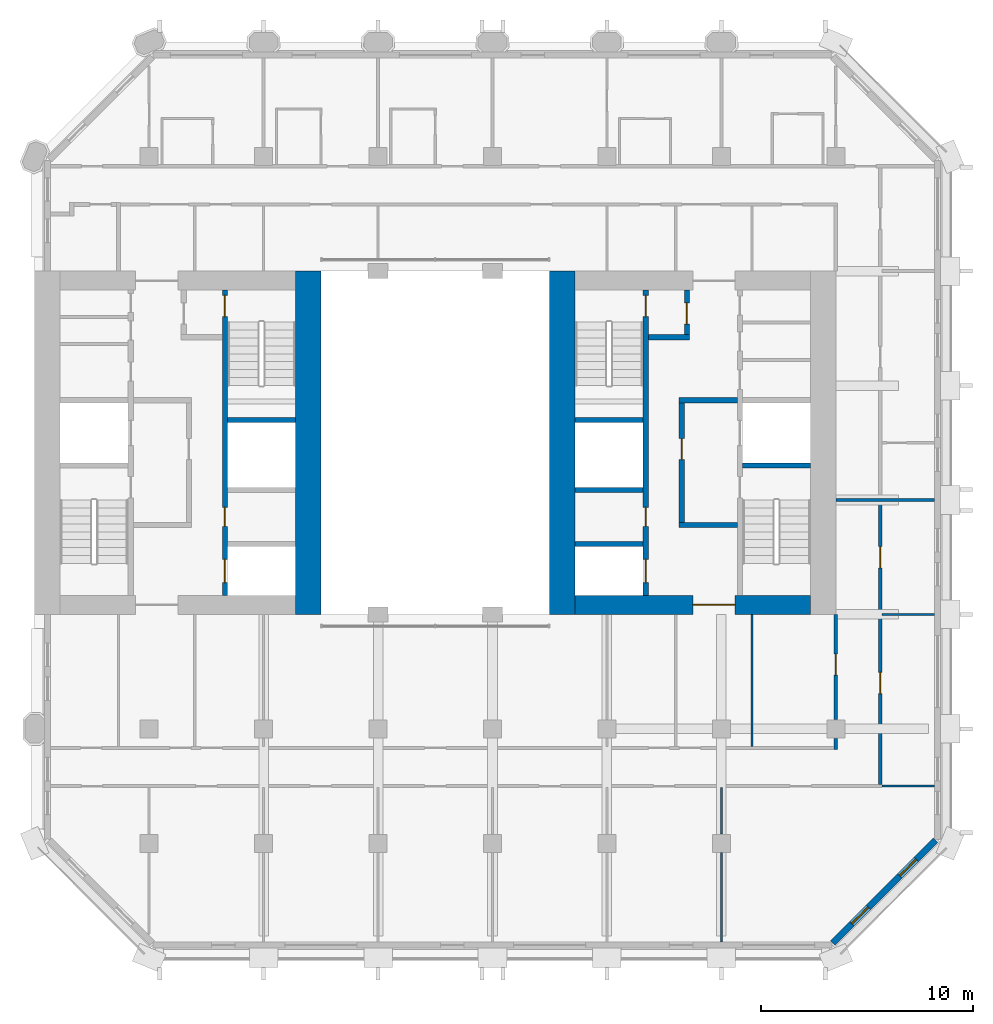
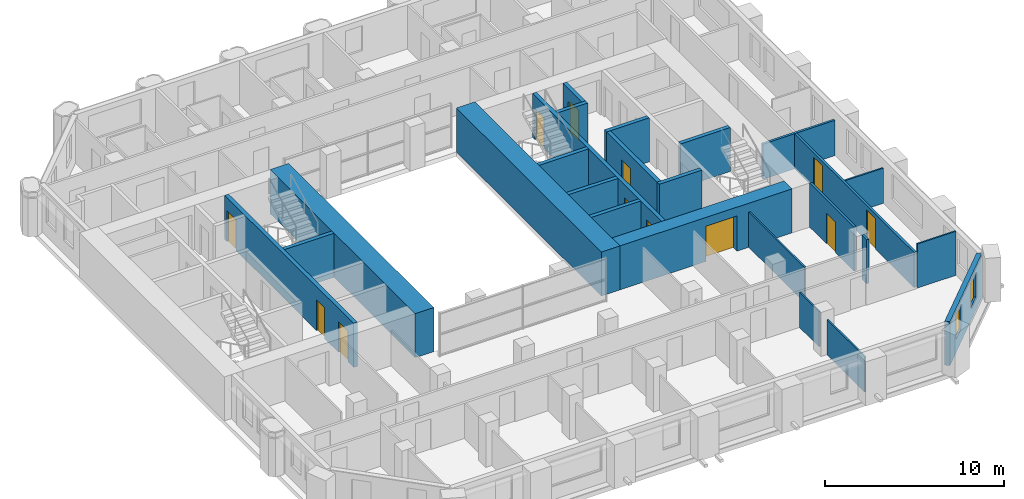
# One storey, part 7 of 13: 25 walls, 12 doors, 2 windows, 14 openings.
"""IFC4 building model written with IfcOpenShell, lengths in metres."""

from ifc_helpers import new_model, si_unit, direction, frame, frame_2d, origin, place, context, subcontext, project, spatial, rectangle, extrude, material, layer, layer_set, type_object, element, fill, save


model = new_model("IFC4")

# Units and contexts
model_context = context("Model", 3, precision=1e-05, world=origin(), true_north=direction((0.0, 1.0)))
body_context = subcontext(model_context, "Body", "Model", "MODEL_VIEW")
ifc_project = project(units=[si_unit("LENGTHUNIT", "METRE"), si_unit("AREAUNIT", "SQUARE_METRE"), si_unit("VOLUMEUNIT", "CUBIC_METRE"), si_unit("PLANEANGLEUNIT", "RADIAN"), si_unit("MASSUNIT", "GRAM", prefix="KILO")], contexts=[model_context])

# Site, building, storey
site_placement = place(None, origin())
site = spatial("IfcSite", under=ifc_project, at=site_placement, CompositionType="ELEMENT")
building_placement = place(site_placement, origin())
building = spatial("IfcBuilding", under=site, at=building_placement, Name="Tabaq Tower and Sports Hall", CompositionType="ELEMENT")
storey_placement = place(building_placement, frame((0.0, 0.0, 169.300048828125)))
storey = spatial("IfcBuildingStorey", under=building, at=storey_placement, Name="L40", CompositionType="ELEMENT", Elevation=169.300048828125)

# Walls
ifc_material_1 = material(Name="Concrete C50/60", Category="concrete")
ifc_layer_1 = layer(ifc_material_1, 1.199951171875)
ifc_layer_set_1 = layer_set([ifc_layer_1], Name="Core wall 1200 Concrete C50/60")
wall_type_1 = type_object("IfcWallType", Name="Core wall 1200 Concrete C50/60", PredefinedType="SOLIDWALL", material=ifc_layer_set_1)
for number, where, z_axis, x_axis, name in (
    (1, (18.300048828125, 32.39990234375, 0.0), (0.0, 0.0, 1.0), (0.0, -1.0, 0.0), "Core wall W L40"),
    (2, (30.300048828125, 16.199951171875, 0.0), (0.0, 0.0, 1.0), (0.0, 1.0, 0.0), "Core wall E L40"),
):
    element("IfcWall", number, at=place(storey_placement, frame(where, z_axis=z_axis, x_axis=x_axis)), inside=storey, type_object=wall_type_1, Name=name, PredefinedType="SOLIDWALL", context=body_context, shape_type="SweptSolid", body=[
        extrude(rectangle(XDim=16.199951171875, YDim=1.199951171875, at=frame_2d((8.10009765625, 0.0))), origin(), (0.0, 0.0, 1.0), 3.0),
    ])

# Wall, opening, door
ifc_material_2 = material(Name="Concrete C50/60", Category="concrete")
ifc_layer_2 = layer(ifc_material_2, 0.89990234375)
ifc_layer_set_2 = layer_set([ifc_layer_2], Name="Core wall 900 Concrete C50/60")
wall_type_2 = type_object("IfcWallType", Name="Core wall 900 Concrete C50/60", PredefinedType="SOLIDWALL", material=ifc_layer_set_2)
wall_1_placement = place(storey_placement, frame((42.0, 16.64990234375, 0.0), z_axis=(0.0, 0.0, 1.0), x_axis=(-1.0, 0.0, 0.0)))
wall_1 = element("IfcWall", 3, at=wall_1_placement, inside=storey, type_object=wall_type_2, Name="Core wall E L40", PredefinedType="SOLIDWALL", context=body_context, shape_type="SweptSolid", body=[
    extrude(rectangle(XDim=11.10009765625, YDim=0.89990234375, at=frame_2d((5.550048828125, 0.0))), origin(), (0.0, 0.0, 1.0), 3.0),
])
opening_1_placement = place(wall_1_placement, frame((3.550048828125, 0.0, 0.0)))
opening_1 = element("IfcOpeningElement", 4, at=opening_1_placement, cuts=wall_1, Name="Opening PD-EL40-01", PredefinedType="OPENING", context=body_context, shape_type="SweptSolid", body=[
    extrude(rectangle(XDim=2.0, YDim=2.39990234375, at=frame_2d((1.0, 1.199951171875))), frame((0.0, 0.449951171875, 0.0), z_axis=(0.0, -1.0, 0.0), x_axis=(1.0, 0.0, 0.0)), (0.0, 0.0, 1.0), 0.89990234375),
])
ifc_material_3 = material(Name="Steel fire door", Category="steel")
door_type_1 = type_object("IfcDoorType", Name="Core entrance door 2000", OperationType="DOUBLE_DOOR_SINGLE_SWING", PredefinedType="DOOR", material=ifc_material_3)
door_1_placement = place(opening_1_placement, origin())
door_1 = element("IfcDoor", 5, at=door_1_placement, inside=storey, type_object=door_type_1, Name="Core entrance south E L40", OperationType="DOUBLE_DOOR_SINGLE_SWING", OverallHeight=2.39990234375, OverallWidth=2.0, PredefinedType="DOOR", context=body_context, shape_type="SweptSolid", body=[
    extrude(rectangle(XDim=2.0, YDim=2.39990234375, at=frame_2d((1.0, 1.199951171875))), frame((0.0, 0.02490234375, 0.0), z_axis=(0.0, -1.0, 0.0), x_axis=(1.0, 0.0, 0.0)), (0.0, 0.0, 1.0), 0.050048828125),
])
fill(opening_1, door_1)

# Walls
ifc_material_4 = material(Name="Gypsum board on steel studs", Category="steel")
ifc_layer_3 = layer(ifc_material_4, 0.10009765625)
ifc_layer_set_3 = layer_set([ifc_layer_3], Name="Partition 100 Gypsum board")
wall_type_3 = type_object("IfcWallType", Name="Partition 100 Gypsum board", PredefinedType="PARTITIONING", material=ifc_layer_set_3)
wall_2_placement = place(storey_placement, frame((45.375, 8.10009765625, 0.0), z_axis=(0.0, 0.0, 1.0), x_axis=(1.0, 0.0, 0.0)))
element("IfcWall", 6, at=wall_2_placement, inside=storey, type_object=wall_type_3, Name="Partition wall L40", PredefinedType="PARTITIONING", context=body_context, shape_type="SweptSolid", body=[
    extrude(rectangle(XDim=2.47412109375, YDim=0.10009765625, at=frame_2d((1.237060546875, 0.0))), origin(), (0.0, 0.0, 1.0), 3.0),
])
wall_3_placement = place(storey_placement, frame((47.84912109375, 16.199951171875, 0.0), z_axis=(0.0, 0.0, 1.0), x_axis=(-1.0, 0.0, 0.0)))
element("IfcWall", 7, at=wall_3_placement, inside=storey, type_object=wall_type_3, Name="Partition wall L40", PredefinedType="PARTITIONING", context=body_context, shape_type="SweptSolid", body=[
    extrude(rectangle(XDim=2.47412109375, YDim=0.10009765625, at=frame_2d((1.237060546875, 0.0))), origin(), (0.0, 0.0, 1.0), 2.39990234375),
])
wall_4_placement = place(storey_placement, frame((37.800048828125, 0.7509765625, 0.0), z_axis=(0.0, 0.0, 1.0), x_axis=(0.0, 1.0, 0.0)))
element("IfcWall", 8, at=wall_4_placement, inside=storey, type_object=wall_type_3, Name="Partition wall L40", PredefinedType="PARTITIONING", context=body_context, shape_type="SweptSolid", body=[
    extrude(rectangle(XDim=4.2041015625, YDim=0.10009765625, at=frame_2d((2.10205078125, 0.0))), origin(), (0.0, 0.0, 1.0), 2.39990234375),
])
wall_5_placement = place(storey_placement, frame((37.800048828125, 5.844970703125, 0.0), z_axis=(0.0, 0.0, 1.0), x_axis=(0.0, 1.0, 0.0)))
element("IfcWall", 9, at=wall_5_placement, inside=storey, type_object=wall_type_3, Name="Partition wall L40", PredefinedType="PARTITIONING", context=body_context, shape_type="SweptSolid", body=[
    extrude(rectangle(XDim=2.179931640625, YDim=0.10009765625, at=frame_2d((1.08984375, 0.0))), origin(), (0.0, 0.0, 1.0), 2.39990234375),
])
wall_6_placement = place(storey_placement, frame((39.25, 9.97509765625, 0.0), z_axis=(0.0, 0.0, 1.0), x_axis=(0.0, 1.0, 0.0)))
element("IfcWall", 10, at=wall_6_placement, inside=storey, type_object=wall_type_3, Name="Partition wall L40", PredefinedType="PARTITIONING", context=body_context, shape_type="SweptSolid", body=[
    extrude(rectangle(XDim=6.224853515625, YDim=0.10009765625, at=frame_2d((3.1123046875, 0.0))), origin(), (0.0, 0.0, 1.0), 2.39990234375),
])
ifc_material_5 = material(Name="Blockwork", Category="masonry")
ifc_layer_4 = layer(ifc_material_5, 0.14990234375)
ifc_layer_set_4 = layer_set([ifc_layer_4], Name="Separating wall 150 Blockwork")
wall_type_4 = type_object("IfcWallType", Name="Separating wall 150 Blockwork", PredefinedType="PARTITIONING", material=ifc_layer_set_4)
wall_7_placement = place(storey_placement, frame((43.199951171875, 21.60009765625, 0.0), z_axis=(0.0, 0.0, 1.0), x_axis=(1.0, 0.0, 0.0)))
element("IfcWall", 11, at=wall_7_placement, inside=storey, type_object=wall_type_4, Name="Separating wall L40", PredefinedType="PARTITIONING", context=body_context, shape_type="SweptSolid", body=[
    extrude(rectangle(XDim=4.649169921875, YDim=0.14990234375, at=frame_2d((2.32470703125, 0.0))), origin(), (0.0, 0.0, 1.0), 2.39990234375),
])

# Wall, openings, doors
wall_8_placement = place(storey_placement, frame((45.300048828125, 21.52490234375, 0.0), z_axis=(0.0, 0.0, 1.0), x_axis=(0.0, -1.0, 0.0)))
wall_8 = element("IfcWall", 12, at=wall_8_placement, inside=storey, type_object=wall_type_4, Name="Separating wall L40", PredefinedType="PARTITIONING", context=body_context, shape_type="SweptSolid", body=[
    extrude(rectangle(XDim=13.349853515625, YDim=0.14990234375, at=frame_2d((6.6748046875, 0.0))), origin(), (0.0, 0.0, 1.0), 2.39990234375),
])
opening_2_placement = place(wall_8_placement, frame((8.06298828125, 0.0, 0.0)))
opening_2 = element("IfcOpeningElement", 13, at=opening_2_placement, cuts=wall_8, Name="Opening L40-014", PredefinedType="OPENING", context=body_context, shape_type="SweptSolid", body=[
    extrude(rectangle(XDim=1.0, YDim=2.10009765625, at=frame_2d((0.5, 1.050048828125))), frame((0.0, 0.074951171875, 0.0), z_axis=(0.0, -1.0, 0.0), x_axis=(1.0, 0.0, 0.0)), (0.0, 0.0, 1.0), 0.14990234375),
])
opening_3_placement = place(wall_8_placement, frame((2.125, 0.0, 0.0)))
opening_3 = element("IfcOpeningElement", 14, at=opening_3_placement, cuts=wall_8, Name="Opening L40-023", PredefinedType="OPENING", context=body_context, shape_type="SweptSolid", body=[
    extrude(rectangle(XDim=1.0, YDim=2.10009765625, at=frame_2d((0.5, 1.050048828125))), frame((0.0, 0.074951171875, 0.0), z_axis=(0.0, -1.0, 0.0), x_axis=(1.0, 0.0, 0.0)), (0.0, 0.0, 1.0), 0.14990234375),
])
ifc_material_6 = material(Name="Timber leaf in steel frame", Category="steel")
door_type_2 = type_object("IfcDoorType", Name="Internal door 1000 left hand", OperationType="SINGLE_SWING_LEFT", PredefinedType="DOOR", material=ifc_material_6)
door_2_placement = place(opening_2_placement, origin())
door_2 = element("IfcDoor", 15, at=door_2_placement, inside=storey, type_object=door_type_2, Name="Internal door L40-014", OperationType="SINGLE_SWING_LEFT", OverallHeight=2.10009765625, OverallWidth=1.0, PredefinedType="DOOR", context=body_context, shape_type="SweptSolid", body=[
    extrude(rectangle(XDim=1.0, YDim=2.10009765625, at=frame_2d((0.5, 1.050048828125))), frame((0.0, 0.02490234375, 0.0), z_axis=(0.0, -1.0, 0.0), x_axis=(1.0, 0.0, 0.0)), (0.0, 0.0, 1.0), 0.050048828125),
])
fill(opening_2, door_2)
ifc_material_7 = material(Name="Timber leaf in steel frame", Category="steel")
door_type_3 = type_object("IfcDoorType", Name="Internal door 1000 right hand", OperationType="SINGLE_SWING_RIGHT", PredefinedType="DOOR", material=ifc_material_7)
door_3_placement = place(opening_3_placement, origin())
door_3 = element("IfcDoor", 16, at=door_3_placement, inside=storey, type_object=door_type_3, Name="Internal door L40-023", OperationType="SINGLE_SWING_RIGHT", OverallHeight=2.10009765625, OverallWidth=1.0, PredefinedType="DOOR", context=body_context, shape_type="SweptSolid", body=[
    extrude(rectangle(XDim=1.0, YDim=2.10009765625, at=frame_2d((0.5, 1.050048828125))), frame((0.0, 0.02490234375, 0.0), z_axis=(0.0, -1.0, 0.0), x_axis=(1.0, 0.0, 0.0)), (0.0, 0.0, 1.0), 0.050048828125),
])
fill(opening_3, door_3)

# Wall, opening, door
wall_9_placement = place(storey_placement, frame((43.199951171875, 16.199951171875, 0.0), z_axis=(0.0, 0.0, 1.0), x_axis=(0.0, -1.0, 0.0)))
wall_9 = element("IfcWall", 17, at=wall_9_placement, inside=storey, type_object=wall_type_4, Name="Separating wall L40", PredefinedType="PARTITIONING", context=body_context, shape_type="SweptSolid", body=[
    extrude(rectangle(XDim=4.954833984375, YDim=0.14990234375, at=frame_2d((2.4775390625, 0.0))), origin(), (0.0, 0.0, 1.0), 3.0),
])
opening_4_placement = place(wall_9_placement, frame((1.866943359375, 0.0, 0.0)))
opening_4 = element("IfcOpeningElement", 18, at=opening_4_placement, cuts=wall_9, Name="Opening L40-026", PredefinedType="OPENING", context=body_context, shape_type="SweptSolid", body=[
    extrude(rectangle(XDim=1.0, YDim=2.10009765625, at=frame_2d((0.5, 1.050048828125))), frame((0.0, 0.074951171875, 0.0), z_axis=(0.0, -1.0, 0.0), x_axis=(1.0, 0.0, 0.0)), (0.0, 0.0, 1.0), 0.14990234375),
])
door_4_placement = place(opening_4_placement, origin())
door_4 = element("IfcDoor", 19, at=door_4_placement, inside=storey, type_object=door_type_2, Name="Internal door L40-026", OperationType="SINGLE_SWING_LEFT", OverallHeight=2.10009765625, OverallWidth=1.0, PredefinedType="DOOR", context=body_context, shape_type="SweptSolid", body=[
    extrude(rectangle(XDim=1.0, YDim=2.10009765625, at=frame_2d((0.5, 1.050048828125))), frame((0.0, 0.02490234375, 0.0), z_axis=(0.0, -1.0, 0.0), x_axis=(1.0, 0.0, 0.0)), (0.0, 0.0, 1.0), 0.050048828125),
])
fill(opening_4, door_4)

# Wall
wall_10_placement = place(storey_placement, frame((43.199951171875, 10.35498046875, 0.0), z_axis=(0.0, 0.0, 1.0), x_axis=(0.0, -1.0, 0.0)))
element("IfcWall", 20, at=wall_10_placement, inside=storey, type_object=wall_type_4, Name="Separating wall L40", PredefinedType="PARTITIONING", context=body_context, shape_type="SweptSolid", body=[
    extrude(rectangle(XDim=0.530029296875, YDim=0.14990234375, at=frame_2d((0.26513671875, 0.0))), origin(), (0.0, 0.0, 1.0), 3.0),
])

# Wall, openings, doors
ifc_material_8 = material(Name="Concrete C40/50", Category="concrete")
ifc_layer_5 = layer(ifc_material_8, 0.25)
ifc_layer_set_5 = layer_set([ifc_layer_5], Name="Shaft and stair wall 250 Concrete C40/50")
wall_type_5 = type_object("IfcWallType", Name="Shaft and stair wall 250 Concrete C40/50", PredefinedType="SOLIDWALL", material=ifc_layer_set_5)
wall_11_placement = place(storey_placement, frame((14.375, 17.10009765625, 0.0), z_axis=(0.0, 0.0, 1.0), x_axis=(0.0, 1.0, 0.0)))
wall_11 = element("IfcWall", 21, at=wall_11_placement, inside=storey, type_object=wall_type_5, Name="Shaft wall W L40", PredefinedType="SOLIDWALL", context=body_context, shape_type="SweptSolid", body=[
    extrude(rectangle(XDim=14.39990234375, YDim=0.25, at=frame_2d((7.199951171875, 0.0))), origin(), (0.0, 0.0, 1.0), 3.0),
])
opening_5_placement = place(wall_11_placement, frame((13.14990234375, 0.0, 0.0)))
opening_5 = element("IfcOpeningElement", 22, at=opening_5_placement, cuts=wall_11, Name="Opening SD-WL40-05", PredefinedType="OPENING", context=body_context, shape_type="SweptSolid", body=[
    extrude(rectangle(XDim=1.0, YDim=2.10009765625, at=frame_2d((0.5, 1.050048828125))), frame((0.0, 0.125, 0.0), z_axis=(0.0, -1.0, 0.0), x_axis=(1.0, 0.0, 0.0)), (0.0, 0.0, 1.0), 0.25),
])
opening_6_placement = place(wall_11_placement, frame((0.60009765625, 0.0, 0.0)))
opening_6 = element("IfcOpeningElement", 23, at=opening_6_placement, cuts=wall_11, Name="Opening LD-MR1-L40", PredefinedType="OPENING", context=body_context, shape_type="SweptSolid", body=[
    extrude(rectangle(XDim=1.10009765625, YDim=2.10009765625, at=frame_2d((0.550048828125, 1.050048828125))), frame((0.0, 0.125, 0.0), z_axis=(0.0, -1.0, 0.0), x_axis=(1.0, 0.0, 0.0)), (0.0, 0.0, 1.0), 0.25),
])
opening_7_placement = place(wall_11_placement, frame((3.25, 0.0, 0.0)))
opening_7 = element("IfcOpeningElement", 24, at=opening_7_placement, cuts=wall_11, Name="Opening RD-WL40-12", PredefinedType="OPENING", context=body_context, shape_type="SweptSolid", body=[
    extrude(rectangle(XDim=0.89990234375, YDim=2.10009765625, at=frame_2d((0.449951171875, 1.050048828125))), frame((0.0, 0.125, 0.0), z_axis=(0.0, -1.0, 0.0), x_axis=(1.0, 0.0, 0.0)), (0.0, 0.0, 1.0), 0.25),
])
ifc_material_9 = material(Name="Steel fire door", Category="steel")
door_type_4 = type_object("IfcDoorType", Name="Core room door 900", OperationType="SINGLE_SWING_LEFT", PredefinedType="DOOR", material=ifc_material_9)
door_5_placement = place(opening_7_placement, origin())
door_5 = element("IfcDoor", 25, at=door_5_placement, inside=storey, type_object=door_type_4, Name="Door Cleaner's Store W L40", OperationType="SINGLE_SWING_LEFT", OverallHeight=2.10009765625, OverallWidth=0.89990234375, PredefinedType="DOOR", context=body_context, shape_type="SweptSolid", body=[
    extrude(rectangle(XDim=0.89990234375, YDim=2.10009765625, at=frame_2d((0.449951171875, 1.050048828125))), frame((0.0, 0.02490234375, 0.0), z_axis=(0.0, -1.0, 0.0), x_axis=(1.0, 0.0, 0.0)), (0.0, 0.0, 1.0), 0.050048828125),
])
fill(opening_7, door_5)
ifc_material_10 = material(Name="Stainless steel", Category="steel")
door_type_5 = type_object("IfcDoorType", Name="Lift landing door 1100", OperationType="DOUBLE_DOOR_SLIDING", PredefinedType="DOOR", material=ifc_material_10)
door_6_placement = place(opening_6_placement, origin())
door_6 = element("IfcDoor", 26, at=door_6_placement, inside=storey, type_object=door_type_5, Name="Lift landing door MR1 W L40", OperationType="DOUBLE_DOOR_SLIDING", OverallHeight=2.10009765625, OverallWidth=1.10009765625, PredefinedType="DOOR", context=body_context, shape_type="SweptSolid", body=[
    extrude(rectangle(XDim=1.10009765625, YDim=2.10009765625, at=frame_2d((0.550048828125, 1.050048828125))), frame((0.0, 0.02490234375, 0.0), z_axis=(0.0, -1.0, 0.0), x_axis=(1.0, 0.0, 0.0)), (0.0, 0.0, 1.0), 0.050048828125),
])
fill(opening_6, door_6)
ifc_material_11 = material(Name="Steel fire door", Category="steel")
door_type_6 = type_object("IfcDoorType", Name="Stair door 1000", OperationType="SINGLE_SWING_LEFT", PredefinedType="DOOR", material=ifc_material_11)
door_7_placement = place(opening_5_placement, origin())
door_7 = element("IfcDoor", 27, at=door_7_placement, inside=storey, type_object=door_type_6, Name="Stair door ST2 W L40", OperationType="SINGLE_SWING_LEFT", OverallHeight=2.10009765625, OverallWidth=1.0, PredefinedType="DOOR", context=body_context, shape_type="SweptSolid", body=[
    extrude(rectangle(XDim=1.0, YDim=2.10009765625, at=frame_2d((0.5, 1.050048828125))), frame((0.0, 0.02490234375, 0.0), z_axis=(0.0, -1.0, 0.0), x_axis=(1.0, 0.0, 0.0)), (0.0, 0.0, 1.0), 0.050048828125),
])
fill(opening_5, door_7)

# Wall
wall_12_placement = place(storey_placement, frame((14.5, 25.375, 0.0), z_axis=(0.0, 0.0, 1.0), x_axis=(1.0, 0.0, 0.0)))
element("IfcWall", 28, at=wall_12_placement, inside=storey, type_object=wall_type_5, Name="Stair enclosure wall W L40", PredefinedType="SOLIDWALL", context=body_context, shape_type="SweptSolid", body=[
    extrude(rectangle(XDim=3.199951171875, YDim=0.25, at=frame_2d((1.60009765625, 0.0))), origin(), (0.0, 0.0, 1.0), 3.0),
])

# Wall, openings, doors
wall_13_placement = place(storey_placement, frame((34.22509765625, 17.10009765625, 0.0), z_axis=(0.0, 0.0, 1.0), x_axis=(0.0, 1.0, 0.0)))
wall_13 = element("IfcWall", 29, at=wall_13_placement, inside=storey, type_object=wall_type_5, Name="Shaft wall E L40", PredefinedType="SOLIDWALL", context=body_context, shape_type="SweptSolid", body=[
    extrude(rectangle(XDim=14.39990234375, YDim=0.25, at=frame_2d((7.199951171875, 0.0))), origin(), (0.0, 0.0, 1.0), 3.0),
])
opening_8_placement = place(wall_13_placement, frame((13.14990234375, 0.0, 0.0)))
opening_8 = element("IfcOpeningElement", 30, at=opening_8_placement, cuts=wall_13, Name="Opening SD-EL40-05", PredefinedType="OPENING", context=body_context, shape_type="SweptSolid", body=[
    extrude(rectangle(XDim=1.0, YDim=2.10009765625, at=frame_2d((0.5, 1.050048828125))), frame((0.0, 0.125, 0.0), z_axis=(0.0, -1.0, 0.0), x_axis=(1.0, 0.0, 0.0)), (0.0, 0.0, 1.0), 0.25),
])
opening_9_placement = place(wall_13_placement, frame((0.60009765625, 0.0, 0.0)))
opening_9 = element("IfcOpeningElement", 31, at=opening_9_placement, cuts=wall_13, Name="Opening LD-MR2-L40", PredefinedType="OPENING", context=body_context, shape_type="SweptSolid", body=[
    extrude(rectangle(XDim=1.10009765625, YDim=2.10009765625, at=frame_2d((0.550048828125, 1.050048828125))), frame((0.0, 0.125, 0.0), z_axis=(0.0, -1.0, 0.0), x_axis=(1.0, 0.0, 0.0)), (0.0, 0.0, 1.0), 0.25),
])
opening_10_placement = place(wall_13_placement, frame((3.25, 0.0, 0.0)))
opening_10 = element("IfcOpeningElement", 32, at=opening_10_placement, cuts=wall_13, Name="Opening RD-EL40-12", PredefinedType="OPENING", context=body_context, shape_type="SweptSolid", body=[
    extrude(rectangle(XDim=0.89990234375, YDim=2.10009765625, at=frame_2d((0.449951171875, 1.050048828125))), frame((0.0, 0.125, 0.0), z_axis=(0.0, -1.0, 0.0), x_axis=(1.0, 0.0, 0.0)), (0.0, 0.0, 1.0), 0.25),
])
door_8_placement = place(opening_10_placement, origin())
door_8 = element("IfcDoor", 33, at=door_8_placement, inside=storey, type_object=door_type_4, Name="Door Cleaner's Store E L40", OperationType="SINGLE_SWING_LEFT", OverallHeight=2.10009765625, OverallWidth=0.89990234375, PredefinedType="DOOR", context=body_context, shape_type="SweptSolid", body=[
    extrude(rectangle(XDim=0.89990234375, YDim=2.10009765625, at=frame_2d((0.449951171875, 1.050048828125))), frame((0.0, 0.02490234375, 0.0), z_axis=(0.0, -1.0, 0.0), x_axis=(1.0, 0.0, 0.0)), (0.0, 0.0, 1.0), 0.050048828125),
])
fill(opening_10, door_8)
door_9_placement = place(opening_9_placement, origin())
door_9 = element("IfcDoor", 34, at=door_9_placement, inside=storey, type_object=door_type_5, Name="Lift landing door MR2 E L40", OperationType="DOUBLE_DOOR_SLIDING", OverallHeight=2.10009765625, OverallWidth=1.10009765625, PredefinedType="DOOR", context=body_context, shape_type="SweptSolid", body=[
    extrude(rectangle(XDim=1.10009765625, YDim=2.10009765625, at=frame_2d((0.550048828125, 1.050048828125))), frame((0.0, 0.02490234375, 0.0), z_axis=(0.0, -1.0, 0.0), x_axis=(1.0, 0.0, 0.0)), (0.0, 0.0, 1.0), 0.050048828125),
])
fill(opening_9, door_9)
door_10_placement = place(opening_8_placement, origin())
door_10 = element("IfcDoor", 35, at=door_10_placement, inside=storey, type_object=door_type_6, Name="Stair door ST4 E L40", OperationType="SINGLE_SWING_LEFT", OverallHeight=2.10009765625, OverallWidth=1.0, PredefinedType="DOOR", context=body_context, shape_type="SweptSolid", body=[
    extrude(rectangle(XDim=1.0, YDim=2.10009765625, at=frame_2d((0.5, 1.050048828125))), frame((0.0, 0.02490234375, 0.0), z_axis=(0.0, -1.0, 0.0), x_axis=(1.0, 0.0, 0.0)), (0.0, 0.0, 1.0), 0.050048828125),
])
fill(opening_8, door_10)

# Walls
wall_14_placement = place(storey_placement, frame((38.800048828125, 23.22509765625, 0.0), z_axis=(0.0, 0.0, 1.0), x_axis=(1.0, 0.0, 0.0)))
element("IfcWall", 36, at=wall_14_placement, inside=storey, type_object=wall_type_5, Name="Stair enclosure wall E L40", PredefinedType="SOLIDWALL", context=body_context, shape_type="SweptSolid", body=[
    extrude(rectangle(XDim=3.199951171875, YDim=0.25, at=frame_2d((1.60009765625, 0.0))), origin(), (0.0, 0.0, 1.0), 3.0),
])
for number, where, z_axis, x_axis, name in (
    (37, (30.89990234375, 25.375, 0.0), (0.0, 0.0, 1.0), (1.0, 0.0, 0.0), "Stair enclosure wall E L40"),
    (38, (30.89990234375, 22.074951171875, 0.0), (0.0, 0.0, 1.0), (1.0, 0.0, 0.0), "Shaft wall E L40"),
):
    element("IfcWall", number, at=place(storey_placement, frame(where, z_axis=z_axis, x_axis=x_axis)), inside=storey, type_object=wall_type_5, Name=name, PredefinedType="SOLIDWALL", context=body_context, shape_type="SweptSolid", body=[
        extrude(rectangle(XDim=3.2001953125, YDim=0.25, at=frame_2d((1.60009765625, 0.0))), origin(), (0.0, 0.0, 1.0), 3.0),
    ])
for number, where, z_axis, x_axis, name in (
    (39, (35.800048828125, 26.300048828125, 0.0), (0.0, 0.0, 1.0), (1.0, 0.0, 0.0), "Fire-fighting lobby wall E L40"),
    (40, (35.800048828125, 20.425048828125, 0.0), (0.0, 0.0, 1.0), (1.0, 0.0, 0.0), "Fire-fighting lobby wall E L40"),
):
    element("IfcWall", number, at=place(storey_placement, frame(where, z_axis=z_axis, x_axis=x_axis)), inside=storey, type_object=wall_type_5, Name=name, PredefinedType="SOLIDWALL", context=body_context, shape_type="SweptSolid", body=[
        extrude(rectangle(XDim=2.75, YDim=0.25, at=frame_2d((1.375, 0.0))), origin(), (0.0, 0.0, 1.0), 3.0),
    ])

# Wall, opening, door
wall_15_placement = place(storey_placement, frame((36.175048828125, 29.39990234375, 0.0), z_axis=(0.0, 0.0, 1.0), x_axis=(0.0, 1.0, 0.0)))
wall_15 = element("IfcWall", 41, at=wall_15_placement, inside=storey, type_object=wall_type_5, Name="Fire-fighting lobby wall E L40", PredefinedType="SOLIDWALL", context=body_context, shape_type="SweptSolid", body=[
    extrude(rectangle(XDim=2.10009765625, YDim=0.25, at=frame_2d((1.050048828125, 0.0))), origin(), (0.0, 0.0, 1.0), 3.0),
])
opening_11_placement = place(wall_15_placement, frame((0.5, 0.0, 0.0)))
opening_11 = element("IfcOpeningElement", 42, at=opening_11_placement, cuts=wall_15, Name="Opening FD-EL40-06", PredefinedType="OPENING", context=body_context, shape_type="SweptSolid", body=[
    extrude(rectangle(XDim=1.0, YDim=2.10009765625, at=frame_2d((0.5, 1.050048828125))), frame((0.0, 0.125, 0.0), z_axis=(0.0, -1.0, 0.0), x_axis=(1.0, 0.0, 0.0)), (0.0, 0.0, 1.0), 0.25),
])
ifc_material_12 = material(Name="Steel fire door", Category="steel")
door_type_7 = type_object("IfcDoorType", Name="Fire-fighting lobby door 1000", OperationType="SINGLE_SWING_LEFT", PredefinedType="DOOR", material=ifc_material_12)
door_11_placement = place(opening_11_placement, origin())
door_11 = element("IfcDoor", 43, at=door_11_placement, inside=storey, type_object=door_type_7, Name="Stair lobby door E L40", OperationType="SINGLE_SWING_LEFT", OverallHeight=2.10009765625, OverallWidth=1.0, PredefinedType="DOOR", context=body_context, shape_type="SweptSolid", body=[
    extrude(rectangle(XDim=1.0, YDim=2.10009765625, at=frame_2d((0.5, 1.050048828125))), frame((0.0, 0.02490234375, 0.0), z_axis=(0.0, -1.0, 0.0), x_axis=(1.0, 0.0, 0.0)), (0.0, 0.0, 1.0), 0.050048828125),
])
fill(opening_11, door_11)

# Wall
wall_16_placement = place(storey_placement, frame((34.35009765625, 29.27490234375, 0.0), z_axis=(0.0, 0.0, 1.0), x_axis=(1.0, 0.0, 0.0)))
element("IfcWall", 44, at=wall_16_placement, inside=storey, type_object=wall_type_5, Name="Fire-fighting lobby wall E L40", PredefinedType="SOLIDWALL", context=body_context, shape_type="SweptSolid", body=[
    extrude(rectangle(XDim=1.949951171875, YDim=0.25, at=frame_2d((0.97509765625, 0.0))), origin(), (0.0, 0.0, 1.0), 3.0),
])

# Wall, opening, door
wall_17_placement = place(storey_placement, frame((35.925048828125, 20.550048828125, 0.0), z_axis=(0.0, 0.0, 1.0), x_axis=(0.0, 1.0, 0.0)))
wall_17 = element("IfcWall", 45, at=wall_17_placement, inside=storey, type_object=wall_type_5, Name="Fire-fighting lobby wall E L40", PredefinedType="SOLIDWALL", context=body_context, shape_type="SweptSolid", body=[
    extrude(rectangle(XDim=5.625, YDim=0.25, at=frame_2d((2.8125, 0.0))), origin(), (0.0, 0.0, 1.0), 3.0),
])
opening_12_placement = place(wall_17_placement, frame((2.949951171875, 0.0, 0.0)))
opening_12 = element("IfcOpeningElement", 46, at=opening_12_placement, cuts=wall_17, Name="Opening FD-EL40-04", PredefinedType="OPENING", context=body_context, shape_type="SweptSolid", body=[
    extrude(rectangle(XDim=1.0, YDim=2.10009765625, at=frame_2d((0.5, 1.050048828125))), frame((0.0, 0.125, 0.0), z_axis=(0.0, -1.0, 0.0), x_axis=(1.0, 0.0, 0.0)), (0.0, 0.0, 1.0), 0.25),
])
door_12_placement = place(opening_12_placement, origin())
door_12 = element("IfcDoor", 47, at=door_12_placement, inside=storey, type_object=door_type_7, Name="Fire-fighting lobby door E L40", OperationType="SINGLE_SWING_LEFT", OverallHeight=2.10009765625, OverallWidth=1.0, PredefinedType="DOOR", context=body_context, shape_type="SweptSolid", body=[
    extrude(rectangle(XDim=1.0, YDim=2.10009765625, at=frame_2d((0.5, 1.050048828125))), frame((0.0, 0.02490234375, 0.0), z_axis=(0.0, -1.0, 0.0), x_axis=(1.0, 0.0, 0.0)), (0.0, 0.0, 1.0), 0.050048828125),
])
fill(opening_12, door_12)

# Wall
wall_18_placement = place(storey_placement, frame((30.89990234375, 19.52490234375, 0.0), z_axis=(0.0, 0.0, 1.0), x_axis=(1.0, 0.0, 0.0)))
element("IfcWall", 48, at=wall_18_placement, inside=storey, type_object=wall_type_5, Name="Shaft wall E L40", PredefinedType="SOLIDWALL", context=body_context, shape_type="SweptSolid", body=[
    extrude(rectangle(XDim=3.2001953125, YDim=0.25, at=frame_2d((1.60009765625, 0.0))), origin(), (0.0, 0.0, 1.0), 3.0),
])

# Wall, openings, windows
ifc_material_13 = material(Name="White precast concrete C60/75", Category="concrete")
ifc_layer_6 = layer(ifc_material_13, 0.300048828125)
ifc_layer_set_6 = layer_set([ifc_layer_6], Name="White precast concrete C60/75 external wall 300")
wall_type_6 = type_object("IfcWallType", Name="White precast concrete C60/75 external wall 300", PredefinedType="SOLIDWALL", material=ifc_layer_set_6)
wall_19_placement = place(storey_placement, frame((43.050537109375, 0.698974609375, 0.0), z_axis=(0.0, 0.0, 1.0), x_axis=(0.707106781187, 0.707106781187, 0.0)))
wall_19 = element("IfcWall", 49, at=wall_19_placement, inside=storey, type_object=wall_type_6, Name="External Wall L40 SE", PredefinedType="SOLIDWALL", context=body_context, shape_type="SweptSolid", body=[
    extrude(rectangle(XDim=6.85986328125, YDim=0.300048828125, at=frame_2d((3.429931640625, 0.0))), origin(), (0.0, 0.0, 1.0), 3.0),
])
opening_13_placement = place(wall_19_placement, frame((1.27978515625, 0.0, 0.89990234375)))
opening_13 = element("IfcOpeningElement", 50, at=opening_13_placement, cuts=wall_19, Name="Opening W1B", PredefinedType="OPENING", context=body_context, shape_type="SweptSolid", body=[
    extrude(rectangle(XDim=1.10009765625, YDim=1.699951171875, at=frame_2d((0.550048828125, 0.85009765625))), frame((0.0, 0.16015625, 0.0), z_axis=(0.0, -1.0, 0.0), x_axis=(1.0, 0.0, 0.0)), (0.0, 0.0, 1.0), 0.320068359375),
])
opening_14_placement = place(wall_19_placement, frame((4.479736328125, 0.0, 0.89990234375)))
opening_14 = element("IfcOpeningElement", 51, at=opening_14_placement, cuts=wall_19, Name="Opening W1B", PredefinedType="OPENING", context=body_context, shape_type="SweptSolid", body=[
    extrude(rectangle(XDim=1.10009765625, YDim=1.699951171875, at=frame_2d((0.550048828125, 0.85009765625))), frame((0.0, 0.16015625, 0.0), z_axis=(0.0, -1.0, 0.0), x_axis=(1.0, 0.0, 0.0)), (0.0, 0.0, 1.0), 0.320068359375),
])
ifc_material_14 = material(Name="Aluminium framed clear glazing", Category="aluminium")
window_type = type_object("IfcWindowType", Name="Window W1B", PartitioningType="SINGLE_PANEL", PredefinedType="WINDOW", material=ifc_material_14)
window_1_placement = place(opening_13_placement, origin())
window_1 = element("IfcWindow", 52, at=window_1_placement, inside=storey, type_object=window_type, Name="Window W1B L40", OverallHeight=1.699951171875, OverallWidth=1.10009765625, PartitioningType="SINGLE_PANEL", PredefinedType="WINDOW", context=body_context, shape_type="SweptSolid", body=[
    extrude(rectangle(XDim=1.10009765625, YDim=1.699951171875, at=frame_2d((0.550048828125, 0.85009765625))), frame((0.0, 0.030029296875, 0.0), z_axis=(0.0, -1.0, 0.0), x_axis=(1.0, 0.0, 0.0)), (0.0, 0.0, 1.0), 0.06005859375),
])
fill(opening_13, window_1)
window_2_placement = place(opening_14_placement, origin())
window_2 = element("IfcWindow", 53, at=window_2_placement, inside=storey, type_object=window_type, Name="Window W1B L40", OverallHeight=1.699951171875, OverallWidth=1.10009765625, PartitioningType="SINGLE_PANEL", PredefinedType="WINDOW", context=body_context, shape_type="SweptSolid", body=[
    extrude(rectangle(XDim=1.10009765625, YDim=1.699951171875, at=frame_2d((0.550048828125, 0.85009765625))), frame((0.0, 0.030029296875, 0.0), z_axis=(0.0, -1.0, 0.0), x_axis=(1.0, 0.0, 0.0)), (0.0, 0.0, 1.0), 0.06005859375),
])
fill(opening_14, window_2)

save(model, "model.ifc")
